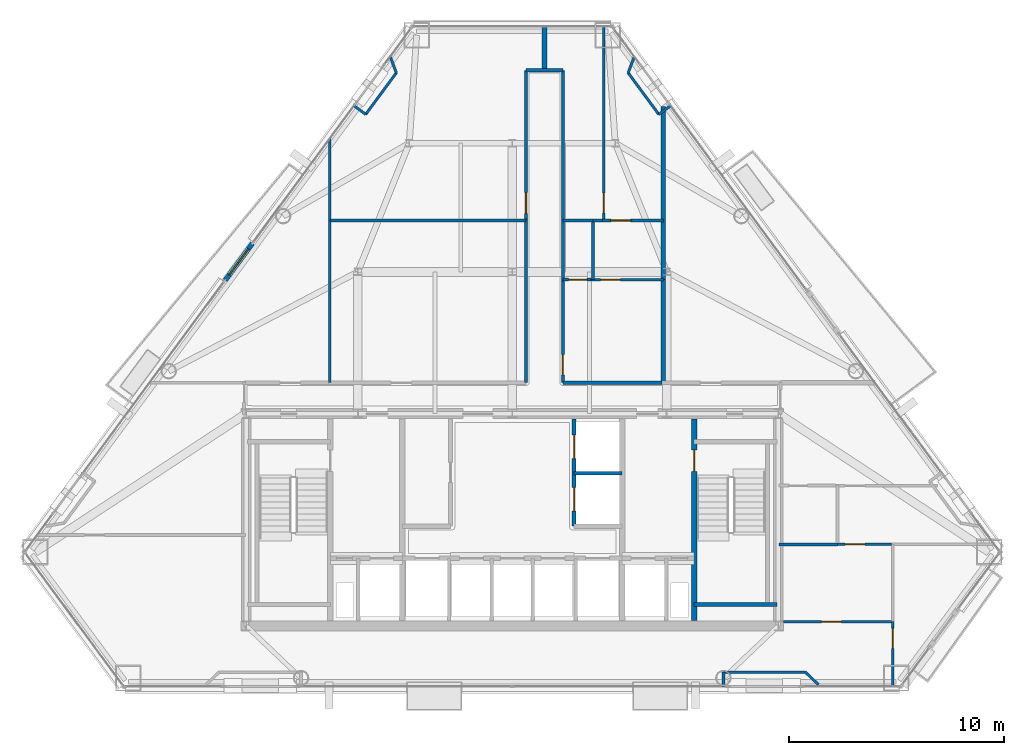
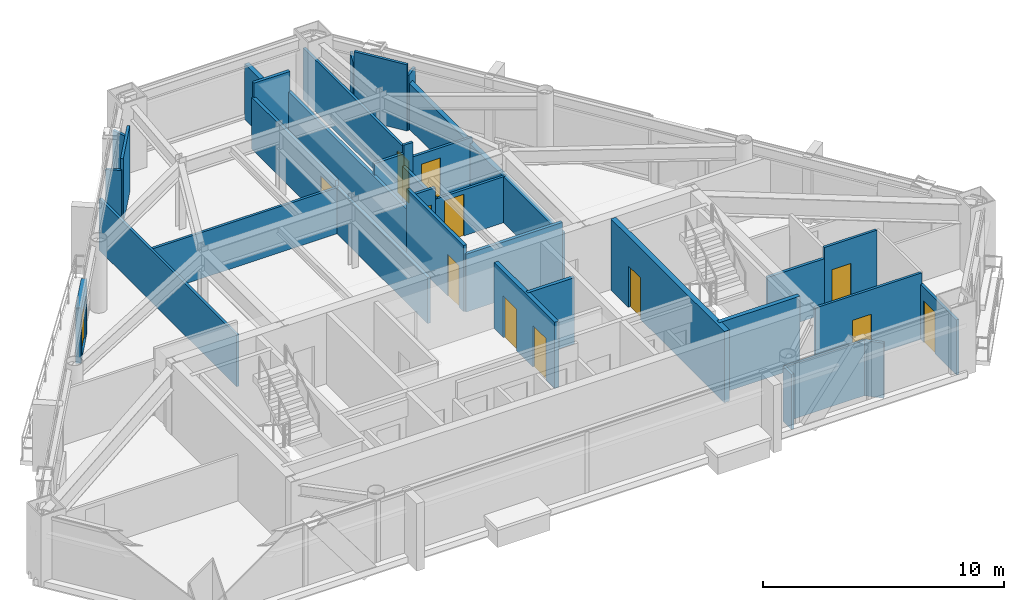
# One storey, part 8 of 11: 36 walls, 13 doors, 13 openings.
"""IFC4 building model written with IfcOpenShell, lengths in metres."""

from ifc_helpers import new_model, si_unit, direction, frame, frame_2d, origin, place, context, subcontext, project, spatial, rectangle, extrude, material, layer, layer_set, type_object, element, fill, save


model = new_model("IFC4")

# Units and contexts
model_context = context("Model", 3, precision=1e-05, world=origin(), true_north=direction((0.0, 1.0)))
body_context = subcontext(model_context, "Body", "Model", "MODEL_VIEW")
ifc_project = project(units=[si_unit("LENGTHUNIT", "METRE"), si_unit("AREAUNIT", "SQUARE_METRE"), si_unit("VOLUMEUNIT", "CUBIC_METRE"), si_unit("PLANEANGLEUNIT", "RADIAN"), si_unit("MASSUNIT", "GRAM", prefix="KILO")], contexts=[model_context])

# Site, building, storey
site_placement = place(None, origin())
site = spatial("IfcSite", under=ifc_project, at=site_placement, CompositionType="ELEMENT")
building_placement = place(site_placement, origin())
building = spatial("IfcBuilding", under=site, at=building_placement, Name="Talgorran Terracotta Tower", CompositionType="ELEMENT")
storey_placement = place(building_placement, frame((0.0, 0.0, 161.699951171875)))
storey = spatial("IfcBuildingStorey", under=building, at=storey_placement, Name="L42", CompositionType="ELEMENT", Elevation=161.699951171875)

# Wall, opening, door
ifc_material_1 = material(Name="Concrete C40/50", Category="concrete")
ifc_layer_1 = layer(ifc_material_1, 0.239990234375, Name="WT_BALCONY_SPAND")
ifc_layer_set_1 = layer_set([ifc_layer_1], Name="Concrete C40/50")
wall_type_1 = type_object("IfcWallType", Name="WT_BALCONY_SPAND", PredefinedType="STANDARD", material=ifc_layer_set_1)
wall_1_placement = place(storey_placement, frame((-12.114990234375, 3.731201171875, -0.014892578125), z_axis=(0.0, 0.0, 1.0), x_axis=(-0.593794270714, -0.804616905158, 0.0)))
wall_1 = element("IfcWall", 1, at=wall_1_placement, inside=storey, type_object=wall_type_1, Name="WL-L42-BALP-BAL-NW", PredefinedType="STANDARD", context=body_context, shape_type="SweptSolid", body=[
    extrude(rectangle(XDim=2.14013671875, YDim=0.239990234375, at=frame_2d((1.070068359375, 0.0))), origin(), (0.0, 0.0, 1.0), 2.806884765625),
])
opening_1_placement = place(wall_1_placement, frame((0.320068359375, 0.0, 0.014892578125)))
opening_1 = element("IfcOpeningElement", 2, at=opening_1_placement, cuts=wall_1, Name="Opening D-BAL-L42-2", PredefinedType="OPENING", context=body_context, shape_type="SweptSolid", body=[
    extrude(rectangle(XDim=1.506, YDim=2.203951171875, at=frame_2d((0.75, 1.10205078125))), frame((0.0, 0.1298828125, 0.0), z_axis=(0.0, -1.0, 0.0), x_axis=(1.0, 0.0, 0.0)), (0.0, 0.0, 1.0), 0.260009765625),
])
ifc_material_2 = material(Name="Thermally Broken Aluminium", Category="aluminium")
door_type_1 = type_object("IfcDoorType", Name="DT_BALC_1500", OperationType="SLIDING_TO_RIGHT", PredefinedType="DOOR", material=ifc_material_2)
door_1_placement = place(opening_1_placement, origin())
door_1 = element("IfcDoor", 3, at=door_1_placement, inside=storey, type_object=door_type_1, Name="DR-L42-BAL-BAL-NW", OperationType="SLIDING_TO_RIGHT", OverallHeight=2.199951171875, OverallWidth=1.5, PredefinedType="DOOR", context=body_context, shape_type="SweptSolid", body=[
    extrude(rectangle(XDim=1.5, YDim=2.199951171875, at=frame_2d((0.75, 1.10009765625))), frame((0.0, 0.02490234375, 0.0), z_axis=(0.0, -1.0, 0.0), x_axis=(1.0, 0.0, 0.0)), (0.0, 0.0, 1.0), 0.050048828125),
])
fill(opening_1, door_1)

# Wall
ifc_material_3 = material(Name="Concrete C50/60", Category="concrete")
ifc_layer_2 = layer(ifc_material_3, 0.199951171875, Name="WT_CORE_200")
ifc_layer_set_2 = layer_set([ifc_layer_2], Name="Concrete C50/60")
wall_type_2 = type_object("IfcWallType", Name="WT_CORE_200", PredefinedType="SOLIDWALL", material=ifc_layer_set_2)
wall_2_placement = place(storey_placement, frame((8.47998046875, -13.10009765625, 0.0), z_axis=(0.0, 0.0, 1.0), x_axis=(1.0, 0.0, 0.0)))
element("IfcWall", 4, at=wall_2_placement, inside=storey, type_object=wall_type_2, Name="WL-L42-CW-ST2-S", PredefinedType="SOLIDWALL", context=body_context, shape_type="SweptSolid", body=[
    extrude(rectangle(XDim=3.8701171875, YDim=0.199951171875, at=frame_2d((1.93505859375, 0.0))), origin(), (0.0, 0.0, 1.0), 3.60009765625),
])

# Wall, openings, doors
wall_3_placement = place(storey_placement, frame((2.8798828125, -9.449951171875, 0.0), z_axis=(0.0, 0.0, 1.0), x_axis=(0.0, 1.0, 0.0)))
wall_3 = element("IfcWall", 5, at=wall_3_placement, inside=storey, type_object=wall_type_2, Name="WL-L42-CW-V-E3", PredefinedType="SOLIDWALL", context=body_context, shape_type="SweptSolid", body=[
    extrude(rectangle(XDim=5.0, YDim=0.199951171875, at=frame_2d((2.5, 0.0))), origin(), (0.0, 0.0, 1.0), 3.35009765625),
])
opening_2_placement = place(wall_3_placement, frame((0.699951171875, 0.0, 0.0)))
opening_2 = element("IfcOpeningElement", 6, at=opening_2_placement, cuts=wall_3, Name="Opening LD-PLM1", PredefinedType="OPENING", context=body_context, shape_type="SweptSolid", body=[
    extrude(rectangle(XDim=1.10609765625, YDim=2.10409765625, at=frame_2d((0.550048828125, 1.052001953125))), frame((0.0, 0.10986328125, 0.0), z_axis=(0.0, -1.0, 0.0), x_axis=(1.0, 0.0, 0.0)), (0.0, 0.0, 1.0), 0.219970703125),
])
opening_3_placement = place(wall_3_placement, frame((3.14990234375, 0.0, 0.0)))
opening_3 = element("IfcOpeningElement", 7, at=opening_3_placement, cuts=wall_3, Name="Opening LD-PLM2", PredefinedType="OPENING", context=body_context, shape_type="SweptSolid", body=[
    extrude(rectangle(XDim=1.10609765625, YDim=2.10409765625, at=frame_2d((0.550048828125, 1.052001953125))), frame((0.0, 0.10986328125, 0.0), z_axis=(0.0, -1.0, 0.0), x_axis=(1.0, 0.0, 0.0)), (0.0, 0.0, 1.0), 0.219970703125),
])
ifc_material_4 = material(Name="Brushed Stainless Steel Grade 304", Category="steel")
door_type_2 = type_object("IfcDoorType", Name="DT_LIFT_LD1100", OperationType="DOUBLE_DOOR_SLIDING", PredefinedType="DOOR", material=ifc_material_4)
door_2_placement = place(opening_2_placement, origin())
door_2 = element("IfcDoor", 8, at=door_2_placement, inside=storey, type_object=door_type_2, Name="L42 Lift Landing Door LD-PLM1", OperationType="DOUBLE_DOOR_SLIDING", OverallHeight=2.10009765625, OverallWidth=1.10009765625, PredefinedType="DOOR", context=body_context, shape_type="SweptSolid", body=[
    extrude(rectangle(XDim=1.10009765625, YDim=2.10009765625, at=frame_2d((0.550048828125, 1.050048828125))), frame((0.0, 0.02490234375, 0.0), z_axis=(0.0, -1.0, 0.0), x_axis=(1.0, 0.0, 0.0)), (0.0, 0.0, 1.0), 0.050048828125),
])
fill(opening_2, door_2)
door_3_placement = place(opening_3_placement, origin())
door_3 = element("IfcDoor", 9, at=door_3_placement, inside=storey, type_object=door_type_2, Name="L42 Lift Landing Door LD-PLM2", OperationType="DOUBLE_DOOR_SLIDING", OverallHeight=2.10009765625, OverallWidth=1.10009765625, PredefinedType="DOOR", context=body_context, shape_type="SweptSolid", body=[
    extrude(rectangle(XDim=1.10009765625, YDim=2.10009765625, at=frame_2d((0.550048828125, 1.050048828125))), frame((0.0, 0.02490234375, 0.0), z_axis=(0.0, -1.0, 0.0), x_axis=(1.0, 0.0, 0.0)), (0.0, 0.0, 1.0), 0.050048828125),
])
fill(opening_3, door_3)

# Wall, opening, door
ifc_layer_3 = layer(ifc_material_3, 0.25, Name="WT_CORE_250")
ifc_layer_set_3 = layer_set([ifc_layer_3], Name="Concrete C50/60")
wall_type_3 = type_object("IfcWallType", Name="WT_CORE_250", PredefinedType="SHEAR", material=ifc_layer_set_3)
wall_4_placement = place(storey_placement, frame((8.47998046875, -13.85009765625, 0.0), z_axis=(0.0, 0.0, 1.0), x_axis=(0.0, 1.0, 0.0)))
wall_4 = element("IfcWall", 10, at=wall_4_placement, inside=storey, type_object=wall_type_3, Name="WL-L42-CW-V-E1", PredefinedType="SHEAR", context=body_context, shape_type="SweptSolid", body=[
    extrude(rectangle(XDim=9.400146484375, YDim=0.25, at=frame_2d((4.7001953125, 0.0))), origin(), (0.0, 0.0, 1.0), 3.60009765625),
])
opening_4_placement = place(wall_4_placement, frame((6.949951171875, 0.0, 0.0)))
opening_4 = element("IfcOpeningElement", 11, at=opening_4_placement, cuts=wall_4, Name="Opening DR-ST02", PredefinedType="OPENING", context=body_context, shape_type="SweptSolid", body=[
    extrude(rectangle(XDim=1.006, YDim=2.10409765625, at=frame_2d((0.5, 1.052001953125))), frame((0.0, 0.135009765625, 0.0), z_axis=(0.0, -1.0, 0.0), x_axis=(1.0, 0.0, 0.0)), (0.0, 0.0, 1.0), 0.27001953125),
])
ifc_material_5 = material(Name="Fire-Rated Pressed Steel", Category="steel")
door_type_3 = type_object("IfcDoorType", Name="DT_FIRE_1000", OperationType="NOTDEFINED", PredefinedType="DOOR", material=ifc_material_5)
door_4_placement = place(opening_4_placement, origin())
door_4 = element("IfcDoor", 12, at=door_4_placement, inside=storey, type_object=door_type_3, Name="DR-ST02", OperationType="SINGLE_SWING_RIGHT", OverallHeight=2.10009765625, OverallWidth=1.0, PredefinedType="DOOR", context=body_context, shape_type="SweptSolid", body=[
    extrude(rectangle(XDim=1.0, YDim=2.10009765625, at=frame_2d((0.5, 1.050048828125))), frame((0.0, 0.02490234375, 0.0), z_axis=(0.0, -1.0, 0.0), x_axis=(1.0, 0.0, 0.0)), (0.0, 0.0, 1.0), 0.050048828125),
])
fill(opening_4, door_4)

# Wall
ifc_material_6 = material(Name="Fire-Rated Steel Stud Plasterboard", Category="steel")
ifc_layer_4 = layer(ifc_material_6, 0.14990234375, Name="WT_FIRE_150")
ifc_layer_set_4 = layer_set([ifc_layer_4], Name="Fire-Rated Steel Stud Plasterboard")
wall_type_4 = type_object("IfcWallType", Name="WT_FIRE_150", PredefinedType="PARTITIONING", material=ifc_layer_set_4)
wall_5_placement = place(storey_placement, frame((0.639892578125, -2.760009765625, 0.0), z_axis=(0.0, 0.0, 1.0), x_axis=(0.0, 1.0, 0.0)))
element("IfcWall", 13, at=wall_5_placement, inside=storey, type_object=wall_type_4, Name="WL-L42-W-L42-R04", PredefinedType="PARTITIONING", context=body_context, shape_type="SweptSolid", body=[
    extrude(rectangle(XDim=7.6201171875, YDim=0.14990234375, at=frame_2d((3.81005859375, 0.0))), origin(), (0.0, 0.0, 1.0), 2.324951171875),
])

# Wall, opening, door
wall_6_placement = place(storey_placement, frame((0.639892578125, 4.862060546875, 0.0), z_axis=(0.0, 0.0, 1.0), x_axis=(0.0, 1.0, 0.0)))
wall_6 = element("IfcWall", 14, at=wall_6_placement, inside=storey, type_object=wall_type_4, Name="WL-L42-W-L42-R05", PredefinedType="PARTITIONING", context=body_context, shape_type="SweptSolid", body=[
    extrude(rectangle(XDim=6.93798828125, YDim=0.14990234375, at=frame_2d((3.468994140625, 0.0))), origin(), (0.0, 0.0, 1.0), 2.616943359375),
])
opening_5_placement = place(wall_6_placement, frame((0.277587890625, 0.0, 0.0)))
opening_5 = element("IfcOpeningElement", 15, at=opening_5_placement, cuts=wall_6, Name="Opening DR-L42-R08", PredefinedType="OPENING", context=body_context, shape_type="SweptSolid", body=[
    extrude(rectangle(XDim=0.955951171875, YDim=2.10409765625, at=frame_2d((0.47509765625, 1.052001953125))), frame((0.0, 0.0849609375, 0.0), z_axis=(0.0, -1.0, 0.0), x_axis=(1.0, 0.0, 0.0)), (0.0, 0.0, 1.0), 0.169921875),
])
ifc_material_7 = material(Name="Fire-Rated Timber Core", Category="wood")
door_type_4 = type_object("IfcDoorType", Name="DT_FIRE_950", OperationType="NOTDEFINED", PredefinedType="DOOR", material=ifc_material_7)
door_5_placement = place(opening_5_placement, origin())
door_5 = element("IfcDoor", 16, at=door_5_placement, inside=storey, type_object=door_type_4, Name="DR-L42-R08", OperationType="SINGLE_SWING_RIGHT", OverallHeight=2.10009765625, OverallWidth=0.949951171875, PredefinedType="DOOR", context=body_context, shape_type="SweptSolid", body=[
    extrude(rectangle(XDim=0.949951171875, YDim=2.10009765625, at=frame_2d((0.47509765625, 1.050048828125))), frame((0.0, 0.02490234375, 0.0), z_axis=(0.0, -1.0, 0.0), x_axis=(1.0, 0.0, 0.0)), (0.0, 0.0, 1.0), 0.050048828125),
])
fill(opening_5, door_5)

# Wall
wall_7_placement = place(storey_placement, frame((2.360107421875, 1.97998046875, 0.0), z_axis=(0.0, 0.0, 1.0), x_axis=(0.0, 1.0, 0.0)))
element("IfcWall", 17, at=wall_7_placement, inside=storey, type_object=wall_type_4, Name="WL-L42-W-L42-R11", PredefinedType="PARTITIONING", context=body_context, shape_type="SweptSolid", body=[
    extrude(rectangle(XDim=9.820068359375, YDim=0.14990234375, at=frame_2d((4.91015625, 0.0))), origin(), (0.0, 0.0, 1.0), 2.324951171875),
])

# Wall, opening, door
wall_8_placement = place(storey_placement, frame((2.360107421875, -2.760009765625, 0.0), z_axis=(0.0, 0.0, 1.0), x_axis=(0.0, 1.0, 0.0)))
wall_8 = element("IfcWall", 18, at=wall_8_placement, inside=storey, type_object=wall_type_4, Name="WL-L42-W-L42-R07", PredefinedType="PARTITIONING", context=body_context, shape_type="SweptSolid", body=[
    extrude(rectangle(XDim=4.738037109375, YDim=0.14990234375, at=frame_2d((2.369140625, 0.0))), origin(), (0.0, 0.0, 1.0), 3.35009765625),
])
opening_6_placement = place(wall_8_placement, frame((0.358154296875, 0.0, 0.0)))
opening_6 = element("IfcOpeningElement", 19, at=opening_6_placement, cuts=wall_8, Name="Opening DR-L42-R09", PredefinedType="OPENING", context=body_context, shape_type="SweptSolid", body=[
    extrude(rectangle(XDim=0.955951171875, YDim=2.10409765625, at=frame_2d((0.47509765625, 1.052001953125))), frame((0.0, 0.0849609375, 0.0), z_axis=(0.0, -1.0, 0.0), x_axis=(1.0, 0.0, 0.0)), (0.0, 0.0, 1.0), 0.169921875),
])
door_6_placement = place(opening_6_placement, origin())
door_6 = element("IfcDoor", 20, at=door_6_placement, inside=storey, type_object=door_type_4, Name="DR-L42-R09", OperationType="SINGLE_SWING_LEFT", OverallHeight=2.10009765625, OverallWidth=0.949951171875, PredefinedType="DOOR", context=body_context, shape_type="SweptSolid", body=[
    extrude(rectangle(XDim=0.949951171875, YDim=2.10009765625, at=frame_2d((0.47509765625, 1.050048828125))), frame((0.0, 0.02490234375, 0.0), z_axis=(0.0, -1.0, 0.0), x_axis=(1.0, 0.0, 0.0)), (0.0, 0.0, 1.0), 0.050048828125),
])
fill(opening_6, door_6)

# Walls
wall_9_placement = place(storey_placement, frame((2.360107421875, -2.760009765625, 0.0), z_axis=(0.0, 0.0, 1.0), x_axis=(1.0, 0.0, 0.0)))
element("IfcWall", 21, at=wall_9_placement, inside=storey, type_object=wall_type_4, Name="WL-L42-W-L42-R08", PredefinedType="PARTITIONING", context=body_context, shape_type="SweptSolid", body=[
    extrude(rectangle(XDim=4.617919921875, YDim=0.14990234375, at=frame_2d((2.30908203125, 0.0))), origin(), (0.0, 0.0, 1.0), 2.918701171875),
])
wall_10_placement = place(storey_placement, frame((0.639892578125, 11.800048828125, 0.0), z_axis=(0.0, 0.0, 1.0), x_axis=(1.0, 0.0, 0.0)))
element("IfcWall", 22, at=wall_10_placement, inside=storey, type_object=wall_type_4, Name="WL-L42-W-L42-R06", PredefinedType="PARTITIONING", context=body_context, shape_type="SweptSolid", body=[
    extrude(rectangle(XDim=1.72021484375, YDim=0.14990234375, at=frame_2d((0.860107421875, 0.0))), origin(), (0.0, 0.0, 1.0), 3.35009765625),
])
ifc_material_8 = material(Name="Acoustic Masonry and Plasterboard", Category="masonry")
ifc_layer_5 = layer(ifc_material_8, 0.219970703125, Name="WT_PARTY_220")
ifc_layer_set_5 = layer_set([ifc_layer_5], Name="Acoustic Masonry and Plasterboard")
wall_type_5 = type_object("IfcWallType", Name="WT_PARTY_220", PredefinedType="PARTITIONING", material=ifc_layer_set_5)
wall_11_placement = place(storey_placement, frame((7.0400390625, 2.0400390625, 0.0), z_axis=(0.0, 0.0, 1.0), x_axis=(0.0, 1.0, 0.0)))
element("IfcWall", 23, at=wall_11_placement, inside=storey, type_object=wall_type_5, Name="WL-L42-W-L42-R38", PredefinedType="PARTITIONING", context=body_context, shape_type="SweptSolid", body=[
    extrude(rectangle(XDim=8.080078125, YDim=0.219970703125, at=frame_2d((4.0400390625, 0.0))), origin(), (0.0, 0.0, 1.0), 2.324951171875),
])
wall_12_placement = place(storey_placement, frame((7.0400390625, -2.760009765625, 0.0), z_axis=(0.0, 0.0, 1.0), x_axis=(0.0, 1.0, 0.0)))
element("IfcWall", 24, at=wall_12_placement, inside=storey, type_object=wall_type_5, Name="WL-L42-W-L42-R31", PredefinedType="PARTITIONING", context=body_context, shape_type="SweptSolid", body=[
    extrude(rectangle(XDim=4.800048828125, YDim=0.219970703125, at=frame_2d((2.39990234375, 0.0))), origin(), (0.0, 0.0, 1.0), 2.324951171875),
])
wall_13_placement = place(storey_placement, frame((1.5, 11.800048828125, 0.0), z_axis=(0.0, 0.0, 1.0), x_axis=(0.0, 1.0, 0.0)))
element("IfcWall", 25, at=wall_13_placement, inside=storey, type_object=wall_type_5, Name="WL-L42-W-L42-R28", PredefinedType="PARTITIONING", context=body_context, shape_type="SweptSolid", body=[
    extrude(rectangle(XDim=2.03466796875, YDim=0.219970703125, at=frame_2d((1.017333984375, 0.0))), origin(), (0.0, 0.0, 1.0), 2.7919921875),
])
ifc_material_9 = material(Name="Insulated Steel Stud Plasterboard", Category="steel")
ifc_layer_6 = layer(ifc_material_9, 0.1201171875, Name="WT_PART_120")
ifc_layer_set_6 = layer_set([ifc_layer_6], Name="Insulated Steel Stud Plasterboard")
wall_type_6 = type_object("IfcWallType", Name="WT_PART_120", PredefinedType="PARTITIONING", material=ifc_layer_set_6)
wall_14_placement = place(storey_placement, frame((-8.5, 4.800048828125, 0.0), z_axis=(0.0, 0.0, 1.0), x_axis=(1.0, 0.0, 0.0)))
element("IfcWall", 26, at=wall_14_placement, inside=storey, type_object=wall_type_6, Name="WL-L42-W-L42-R27", PredefinedType="PARTITIONING", context=body_context, shape_type="SweptSolid", body=[
    extrude(rectangle(XDim=9.139892578125, YDim=0.1201171875, at=frame_2d((4.56982421875, 0.0))), origin(), (0.0, 0.0, 1.0), 2.324951171875),
])

# Wall, opening, door
wall_15_placement = place(storey_placement, frame((4.260009765625, 4.800048828125, 0.0), z_axis=(0.0, 0.0, 1.0), x_axis=(0.0, 1.0, 0.0)))
wall_15 = element("IfcWall", 27, at=wall_15_placement, inside=storey, type_object=wall_type_6, Name="WL-L42-W-L42-R37", PredefinedType="PARTITIONING", context=body_context, shape_type="SweptSolid", body=[
    extrude(rectangle(XDim=9.03466796875, YDim=0.1201171875, at=frame_2d((4.517333984375, 0.0))), origin(), (0.0, 0.0, 1.0), 2.616943359375),
])
opening_7_placement = place(wall_15_placement, frame((0.359130859375, 0.0, 0.0)))
opening_7 = element("IfcOpeningElement", 28, at=opening_7_placement, cuts=wall_15, Name="Opening DR-L42-R12", PredefinedType="OPENING", context=body_context, shape_type="SweptSolid", body=[
    extrude(rectangle(XDim=0.925921875, YDim=2.10409765625, at=frame_2d((0.4599609375, 1.052001953125))), frame((0.0, 0.070068359375, 0.0), z_axis=(0.0, -1.0, 0.0), x_axis=(1.0, 0.0, 0.0)), (0.0, 0.0, 1.0), 0.14013671875),
])
ifc_material_10 = material(Name="Solid-Core Painted Timber", Category="wood")
door_type_5 = type_object("IfcDoorType", Name="DT_INT_920", OperationType="NOTDEFINED", PredefinedType="DOOR", material=ifc_material_10)
door_7_placement = place(opening_7_placement, origin())
door_7 = element("IfcDoor", 29, at=door_7_placement, inside=storey, type_object=door_type_5, Name="DR-L42-R12", OperationType="SINGLE_SWING_RIGHT", OverallHeight=2.10009765625, OverallWidth=0.919921875, PredefinedType="DOOR", context=body_context, shape_type="SweptSolid", body=[
    extrude(rectangle(XDim=0.919921875, YDim=2.10009765625, at=frame_2d((0.4599609375, 1.050048828125))), frame((0.0, 0.02490234375, 0.0), z_axis=(0.0, -1.0, 0.0), x_axis=(1.0, 0.0, 0.0)), (0.0, 0.0, 1.0), 0.050048828125),
])
fill(opening_7, door_7)

# Wall
wall_16_placement = place(storey_placement, frame((-8.5, -2.760009765625, 0.0), z_axis=(0.0, 0.0, 1.0), x_axis=(0.0, 1.0, 0.0)))
element("IfcWall", 30, at=wall_16_placement, inside=storey, type_object=wall_type_6, Name="WL-L42-W-L42-R24", PredefinedType="PARTITIONING", context=body_context, shape_type="SweptSolid", body=[
    extrude(rectangle(XDim=11.389892578125, YDim=0.1201171875, at=frame_2d((5.69482421875, 0.0))), origin(), (0.0, 0.0, 1.0), 2.616943359375),
])

# Wall, opening, door
wall_17_placement = place(storey_placement, frame((12.652099609375, -13.89990234375, 0.0), z_axis=(0.0, 0.0, 1.0), x_axis=(1.0, 0.0, 0.0)))
wall_17 = element("IfcWall", 31, at=wall_17_placement, inside=storey, type_object=wall_type_6, Name="WL-L42-W-L42-R21", PredefinedType="PARTITIONING", context=body_context, shape_type="SweptSolid", body=[
    extrude(rectangle(XDim=5.087890625, YDim=0.1201171875, at=frame_2d((2.5439453125, 0.0))), origin(), (0.0, 0.0, 1.0), 3.35009765625),
])
opening_8_placement = place(wall_17_placement, frame((1.76806640625, 0.0, 0.0)))
opening_8 = element("IfcOpeningElement", 32, at=opening_8_placement, cuts=wall_17, Name="Opening DR-L42-R05", PredefinedType="OPENING", context=body_context, shape_type="SweptSolid", body=[
    extrude(rectangle(XDim=0.925921875, YDim=2.10409765625, at=frame_2d((0.4599609375, 1.052001953125))), frame((0.0, 0.070068359375, 0.0), z_axis=(0.0, -1.0, 0.0), x_axis=(1.0, 0.0, 0.0)), (0.0, 0.0, 1.0), 0.14013671875),
])
door_8_placement = place(opening_8_placement, origin())
door_8 = element("IfcDoor", 33, at=door_8_placement, inside=storey, type_object=door_type_5, Name="DR-L42-R05", OperationType="SINGLE_SWING_LEFT", OverallHeight=2.10009765625, OverallWidth=0.919921875, PredefinedType="DOOR", context=body_context, shape_type="SweptSolid", body=[
    extrude(rectangle(XDim=0.919921875, YDim=2.10009765625, at=frame_2d((0.4599609375, 1.050048828125))), frame((0.0, 0.02490234375, 0.0), z_axis=(0.0, -1.0, 0.0), x_axis=(1.0, 0.0, 0.0)), (0.0, 0.0, 1.0), 0.050048828125),
])
fill(opening_8, door_8)

# Wall
wall_18_placement = place(storey_placement, frame((9.846435546875, -16.25, 0.0), z_axis=(0.0, 0.0, 1.0), x_axis=(1.0, 0.0, 0.0)))
element("IfcWall", 34, at=wall_18_placement, inside=storey, type_object=wall_type_6, Name="WL-L42-BW-L42-06", PredefinedType="PARTITIONING", context=body_context, shape_type="SweptSolid", body=[
    extrude(rectangle(XDim=3.811279296875, YDim=0.1201171875, at=frame_2d((1.90576171875, 0.0))), origin(), (0.0, 0.0, 1.0), 2.7919921875),
])

# Wall, opening, door
wall_19_placement = place(storey_placement, frame((3.679931640625, 2.0400390625, 0.0), z_axis=(0.0, 0.0, 1.0), x_axis=(1.0, 0.0, 0.0)))
wall_19 = element("IfcWall", 35, at=wall_19_placement, inside=storey, type_object=wall_type_6, Name="WL-L42-W-L42-R30", PredefinedType="PARTITIONING", context=body_context, shape_type="SweptSolid", body=[
    extrude(rectangle(XDim=3.360107421875, YDim=0.1201171875, at=frame_2d((1.68017578125, 0.0))), origin(), (0.0, 0.0, 1.0), 2.324951171875),
])
opening_9_placement = place(wall_19_placement, frame((0.43994140625, 0.0, 0.0)))
opening_9 = element("IfcOpeningElement", 36, at=opening_9_placement, cuts=wall_19, Name="Opening DR-L42-R11", PredefinedType="OPENING", context=body_context, shape_type="SweptSolid", body=[
    extrude(rectangle(XDim=0.925921875, YDim=2.10409765625, at=frame_2d((0.4599609375, 1.052001953125))), frame((0.0, 0.070068359375, 0.0), z_axis=(0.0, -1.0, 0.0), x_axis=(1.0, 0.0, 0.0)), (0.0, 0.0, 1.0), 0.14013671875),
])
door_9_placement = place(opening_9_placement, origin())
door_9 = element("IfcDoor", 37, at=door_9_placement, inside=storey, type_object=door_type_5, Name="DR-L42-R11", OperationType="SINGLE_SWING_LEFT", OverallHeight=2.10009765625, OverallWidth=0.919921875, PredefinedType="DOOR", context=body_context, shape_type="SweptSolid", body=[
    extrude(rectangle(XDim=0.919921875, YDim=2.10009765625, at=frame_2d((0.4599609375, 1.050048828125))), frame((0.0, 0.02490234375, 0.0), z_axis=(0.0, -1.0, 0.0), x_axis=(1.0, 0.0, 0.0)), (0.0, 0.0, 1.0), 0.050048828125),
])
fill(opening_9, door_9)

wall_20_placement = place(storey_placement, frame((17.739990234375, -16.929931640625, 0.0), z_axis=(0.0, 0.0, 1.0), x_axis=(0.0, 1.0, 0.0)))
wall_20 = element("IfcWall", 38, at=wall_20_placement, inside=storey, type_object=wall_type_6, Name="WL-L42-W-L42-R22", PredefinedType="PARTITIONING", context=body_context, shape_type="SweptSolid", body=[
    extrude(rectangle(XDim=3.030029296875, YDim=0.1201171875, at=frame_2d((1.51513671875, 0.0))), origin(), (0.0, 0.0, 1.0), 2.7919921875),
])
opening_10_placement = place(wall_20_placement, frame((1.793212890625, 0.0, 0.0)))
opening_10 = element("IfcOpeningElement", 39, at=opening_10_placement, cuts=wall_20, Name="Opening DR-L42-R04", PredefinedType="OPENING", context=body_context, shape_type="SweptSolid", body=[
    extrude(rectangle(XDim=0.925921875, YDim=2.10409765625, at=frame_2d((0.4599609375, 1.052001953125))), frame((0.0, 0.070068359375, 0.0), z_axis=(0.0, -1.0, 0.0), x_axis=(1.0, 0.0, 0.0)), (0.0, 0.0, 1.0), 0.14013671875),
])
door_10_placement = place(opening_10_placement, origin())
door_10 = element("IfcDoor", 40, at=door_10_placement, inside=storey, type_object=door_type_5, Name="DR-L42-R04", OperationType="SINGLE_SWING_RIGHT", OverallHeight=2.10009765625, OverallWidth=0.919921875, PredefinedType="DOOR", context=body_context, shape_type="SweptSolid", body=[
    extrude(rectangle(XDim=0.919921875, YDim=2.10009765625, at=frame_2d((0.4599609375, 1.050048828125))), frame((0.0, 0.02490234375, 0.0), z_axis=(0.0, -1.0, 0.0), x_axis=(1.0, 0.0, 0.0)), (0.0, 0.0, 1.0), 0.050048828125),
])
fill(opening_10, door_10)

wall_21_placement = place(storey_placement, frame((4.199951171875, 4.800048828125, 0.0), z_axis=(0.0, 0.0, 1.0), x_axis=(1.0, 0.0, 0.0)))
wall_21 = element("IfcWall", 41, at=wall_21_placement, inside=storey, type_object=wall_type_6, Name="WL-L42-W-L42-R35", PredefinedType="PARTITIONING", context=body_context, shape_type="SweptSolid", body=[
    extrude(rectangle(XDim=2.840087890625, YDim=0.1201171875, at=frame_2d((1.419921875, 0.0))), origin(), (0.0, 0.0, 1.0), 2.616943359375),
])
opening_11_placement = place(wall_21_placement, frame((0.39990234375, 0.0, 0.0)))
opening_11 = element("IfcOpeningElement", 42, at=opening_11_placement, cuts=wall_21, Name="Opening DR-L42-R17", PredefinedType="OPENING", context=body_context, shape_type="SweptSolid", body=[
    extrude(rectangle(XDim=0.925921875, YDim=2.10409765625, at=frame_2d((0.4599609375, 1.052001953125))), frame((0.0, 0.070068359375, 0.0), z_axis=(0.0, -1.0, 0.0), x_axis=(1.0, 0.0, 0.0)), (0.0, 0.0, 1.0), 0.14013671875),
])
door_11_placement = place(opening_11_placement, origin())
door_11 = element("IfcDoor", 43, at=door_11_placement, inside=storey, type_object=door_type_5, Name="DR-L42-R17", OperationType="SINGLE_SWING_LEFT", OverallHeight=2.10009765625, OverallWidth=0.919921875, PredefinedType="DOOR", context=body_context, shape_type="SweptSolid", body=[
    extrude(rectangle(XDim=0.919921875, YDim=2.10009765625, at=frame_2d((0.4599609375, 1.050048828125))), frame((0.0, 0.02490234375, 0.0), z_axis=(0.0, -1.0, 0.0), x_axis=(1.0, 0.0, 0.0)), (0.0, 0.0, 1.0), 0.050048828125),
])
fill(opening_11, door_11)

wall_22_placement = place(storey_placement, frame((15.159912109375, -10.300048828125, 0.0), z_axis=(0.0, 0.0, 1.0), x_axis=(1.0, 0.0, 0.0)))
wall_22 = element("IfcWall", 44, at=wall_22_placement, inside=storey, type_object=wall_type_6, Name="WL-L42-W-L42-R19", PredefinedType="PARTITIONING", context=body_context, shape_type="SweptSolid", body=[
    extrude(rectangle(XDim=2.51806640625, YDim=0.1201171875, at=frame_2d((1.259033203125, 0.0))), origin(), (0.0, 0.0, 1.0), 3.35009765625),
])
opening_12_placement = place(wall_22_placement, frame((0.353759765625, 0.0, 0.0)))
opening_12 = element("IfcOpeningElement", 45, at=opening_12_placement, cuts=wall_22, Name="Opening DR-L42-R16", PredefinedType="OPENING", context=body_context, shape_type="SweptSolid", body=[
    extrude(rectangle(XDim=0.925921875, YDim=2.10409765625, at=frame_2d((0.4599609375, 1.052001953125))), frame((0.0, 0.070068359375, 0.0), z_axis=(0.0, -1.0, 0.0), x_axis=(1.0, 0.0, 0.0)), (0.0, 0.0, 1.0), 0.14013671875),
])
door_12_placement = place(opening_12_placement, origin())
door_12 = element("IfcDoor", 46, at=door_12_placement, inside=storey, type_object=door_type_5, Name="DR-L42-R16", OperationType="SINGLE_SWING_RIGHT", OverallHeight=2.10009765625, OverallWidth=0.919921875, PredefinedType="DOOR", context=body_context, shape_type="SweptSolid", body=[
    extrude(rectangle(XDim=0.919921875, YDim=2.10009765625, at=frame_2d((0.4599609375, 1.050048828125))), frame((0.0, 0.02490234375, 0.0), z_axis=(0.0, -1.0, 0.0), x_axis=(1.0, 0.0, 0.0)), (0.0, 0.0, 1.0), 0.050048828125),
])
fill(opening_12, door_12)

# Walls
for number, where, z_axis, x_axis, name in (
    (47, (-5.40380859375, 11.68017578125, 0.0), (0.0, 0.0, 1.0), (-0.593742732842, -0.804654936726, 0.0), "WL-L42-BW-L42-15"),
    (48, (6.831298828125, 9.74560546875, 0.0), (0.0, 0.0, 1.0), (-0.593742732842, 0.804654936726, 0.0), "WL-L42-BW-L42-18"),
):
    element("IfcWall", number, at=place(storey_placement, frame(where, z_axis=z_axis, x_axis=x_axis)), inside=storey, type_object=wall_type_6, Name=name, PredefinedType="PARTITIONING", context=body_context, shape_type="SweptSolid", body=[
        extrude(rectangle(XDim=2.404296875, YDim=0.1201171875, at=frame_2d((1.2021484375, 0.0))), origin(), (0.0, 0.0, 1.0), 3.35009765625),
    ])
wall_23_placement = place(storey_placement, frame((13.65771484375, -16.25, 0.0), z_axis=(0.0, 0.0, 1.0), x_axis=(0.726224275186, -0.687457854803, 0.0)))
element("IfcWall", 49, at=wall_23_placement, inside=storey, type_object=wall_type_6, Name="WL-L42-BW-L42-04", PredefinedType="PARTITIONING", context=body_context, shape_type="SweptSolid", body=[
    extrude(rectangle(XDim=0.85009765625, YDim=0.1201171875, at=frame_2d((0.425048828125, 0.0))), origin(), (0.0, 0.0, 1.0), 2.7919921875),
])
for number, where, z_axis, x_axis, name in (
    (50, (-5.68408203125, 12.4287109375, 0.0), (0.0, 0.0, 1.0), (0.350654764447, -0.93650479773, 0.0), "WL-L42-BW-L42-14"),
    (51, (5.40380859375, 11.68017578125, 0.0), (0.0, 0.0, 1.0), (0.350654764447, 0.93650479773, 0.0), "WL-L42-BW-L42-19"),
):
    element("IfcWall", number, at=place(storey_placement, frame(where, z_axis=z_axis, x_axis=x_axis)), inside=storey, type_object=wall_type_6, Name=name, PredefinedType="PARTITIONING", context=body_context, shape_type="SweptSolid", body=[
        extrude(rectangle(XDim=0.79931640625, YDim=0.1201171875, at=frame_2d((0.399658203125, 0.0))), origin(), (0.0, 0.0, 1.0), 2.7919921875),
    ])
for number, where, z_axis, x_axis, name in (
    (52, (-6.831298828125, 9.74560546875, 0.0), (0.0, 0.0, 1.0), (-0.804652806385, 0.593745619922, 0.0), "WL-L42-BW-L42-16"),
    (53, (7.37060546875, 10.1435546875, 0.0), (0.0, 0.0, 1.0), (-0.804652806385, -0.593745619922, 0.0), "WL-L42-BW-L42-17"),
):
    element("IfcWall", number, at=place(storey_placement, frame(where, z_axis=z_axis, x_axis=x_axis)), inside=storey, type_object=wall_type_6, Name=name, PredefinedType="PARTITIONING", context=body_context, shape_type="SweptSolid", body=[
        extrude(rectangle(XDim=0.670166015625, YDim=0.1201171875, at=frame_2d((0.3349609375, 0.0))), origin(), (0.0, 0.0, 1.0), 2.7919921875),
    ])
wall_24_placement = place(storey_placement, frame((9.846435546875, -16.919921875, 0.0), z_axis=(0.0, 0.0, 1.0), x_axis=(0.0, 1.0, 0.0)))
element("IfcWall", 54, at=wall_24_placement, inside=storey, type_object=wall_type_6, Name="WL-L42-BW-L42-05", PredefinedType="PARTITIONING", context=body_context, shape_type="SweptSolid", body=[
    extrude(rectangle(XDim=0.669921875, YDim=0.1201171875, at=frame_2d((0.3349609375, 0.0))), origin(), (0.0, 0.0, 1.0), 2.7919921875),
])
wall_25_placement = place(storey_placement, frame((3.760009765625, 4.800048828125, 0.0), z_axis=(0.0, 0.0, 1.0), x_axis=(1.0, 0.0, 0.0)))
element("IfcWall", 55, at=wall_25_placement, inside=storey, type_object=wall_type_6, Name="WL-L42-W-L42-R34", PredefinedType="PARTITIONING", context=body_context, shape_type="SweptSolid", body=[
    extrude(rectangle(XDim=0.43798828125, YDim=0.1201171875, at=frame_2d((0.218994140625, 0.0))), origin(), (0.0, 0.0, 1.0), 3.35009765625),
])
ifc_material_11 = material(Name="Moisture-Resistant Stud Wall")
ifc_layer_7 = layer(ifc_material_11, 0.135009765625, Name="WT_PART_135")
ifc_layer_set_7 = layer_set([ifc_layer_7], Name="Moisture-Resistant Stud Wall")
wall_type_7 = type_object("IfcWallType", Name="WT_PART_135", PredefinedType="PARTITIONING", material=ifc_layer_set_7)
wall_26_placement = place(storey_placement, frame((3.760009765625, 2.0400390625, 0.0), z_axis=(0.0, 0.0, 1.0), x_axis=(0.0, 1.0, 0.0)))
element("IfcWall", 56, at=wall_26_placement, inside=storey, type_object=wall_type_7, Name="WL-L42-W-L42-R32", PredefinedType="PARTITIONING", context=body_context, shape_type="SweptSolid", body=[
    extrude(rectangle(XDim=2.760009765625, YDim=0.135009765625, at=frame_2d((1.3798828125, 0.0))), origin(), (0.0, 0.0, 1.0), 2.324951171875),
])
wall_27_placement = place(storey_placement, frame((12.43994140625, -10.300048828125, 0.0), z_axis=(0.0, 0.0, 1.0), x_axis=(1.0, 0.0, 0.0)))
element("IfcWall", 57, at=wall_27_placement, inside=storey, type_object=wall_type_7, Name="WL-L42-W-L42-R18", PredefinedType="PARTITIONING", context=body_context, shape_type="SweptSolid", body=[
    extrude(rectangle(XDim=2.719970703125, YDim=0.135009765625, at=frame_2d((1.35986328125, 0.0))), origin(), (0.0, 0.0, 1.0), 2.7919921875),
])

# Wall, opening, door
wall_28_placement = place(storey_placement, frame((2.360107421875, 2.0400390625, 0.0), z_axis=(0.0, 0.0, 1.0), x_axis=(1.0, 0.0, 0.0)))
wall_28 = element("IfcWall", 58, at=wall_28_placement, inside=storey, type_object=wall_type_7, Name="WL-L42-W-L42-R29", PredefinedType="PARTITIONING", context=body_context, shape_type="SweptSolid", body=[
    extrude(rectangle(XDim=1.31787109375, YDim=0.135009765625, at=frame_2d((0.658935546875, 0.0))), origin(), (0.0, 0.0, 1.0), 2.918701171875),
])
opening_13_placement = place(wall_28_placement, frame((0.275634765625, 0.0, 0.0)))
opening_13 = element("IfcOpeningElement", 59, at=opening_13_placement, cuts=wall_28, Name="Opening DR-L42-R10", PredefinedType="OPENING", context=body_context, shape_type="SweptSolid", body=[
    extrude(rectangle(XDim=0.85609765625, YDim=2.10409765625, at=frame_2d((0.425048828125, 1.052001953125))), frame((0.0, 0.07763671875, 0.0), z_axis=(0.0, -1.0, 0.0), x_axis=(1.0, 0.0, 0.0)), (0.0, 0.0, 1.0), 0.155029296875),
])
ifc_material_12 = material(Name="Moisture-Resistant Solid Timber", Category="wood")
door_type_6 = type_object("IfcDoorType", Name="DT_INT_850", OperationType="NOTDEFINED", PredefinedType="DOOR", material=ifc_material_12)
door_13_placement = place(opening_13_placement, origin())
door_13 = element("IfcDoor", 60, at=door_13_placement, inside=storey, type_object=door_type_6, Name="DR-L42-R10", OperationType="SINGLE_SWING_RIGHT", OverallHeight=2.10009765625, OverallWidth=0.85009765625, PredefinedType="DOOR", context=body_context, shape_type="SweptSolid", body=[
    extrude(rectangle(XDim=0.85009765625, YDim=2.10009765625, at=frame_2d((0.425048828125, 1.050048828125))), frame((0.0, 0.02490234375, 0.0), z_axis=(0.0, -1.0, 0.0), x_axis=(1.0, 0.0, 0.0)), (0.0, 0.0, 1.0), 0.050048828125),
])
fill(opening_13, door_13)

# Walls
wall_29_placement = place(storey_placement, frame((2.360107421875, 4.800048828125, 0.0), z_axis=(0.0, 0.0, 1.0), x_axis=(1.0, 0.0, 0.0)))
element("IfcWall", 61, at=wall_29_placement, inside=storey, type_object=wall_type_7, Name="WL-L42-W-L42-R33", PredefinedType="PARTITIONING", context=body_context, shape_type="SweptSolid", body=[
    extrude(rectangle(XDim=1.39990234375, YDim=0.135009765625, at=frame_2d((0.699951171875, 0.0))), origin(), (0.0, 0.0, 1.0), 2.918701171875),
])
ifc_material_13 = material(Name="Fire-Rated Shaftwall")
ifc_layer_8 = layer(ifc_material_13, 0.159912109375, Name="WT_PART_150")
ifc_layer_set_8 = layer_set([ifc_layer_8], Name="Fire-Rated Shaftwall")
wall_type_8 = type_object("IfcWallType", Name="WT_PART_150", PredefinedType="PARTITIONING", material=ifc_layer_set_8)
wall_30_placement = place(storey_placement, frame((2.8798828125, -6.97998046875, 0.0), z_axis=(0.0, 0.0, 1.0), x_axis=(1.0, 0.0, 0.0)))
element("IfcWall", 62, at=wall_30_placement, inside=storey, type_object=wall_type_8, Name="WL-L42-CW-PLM-DIV", PredefinedType="PARTITIONING", context=body_context, shape_type="SweptSolid", body=[
    extrude(rectangle(XDim=2.240234375, YDim=0.159912109375, at=frame_2d((1.1201171875, 0.0))), origin(), (0.0, 0.0, 1.0), 3.35009765625),
])

save(model, "model.ifc")
